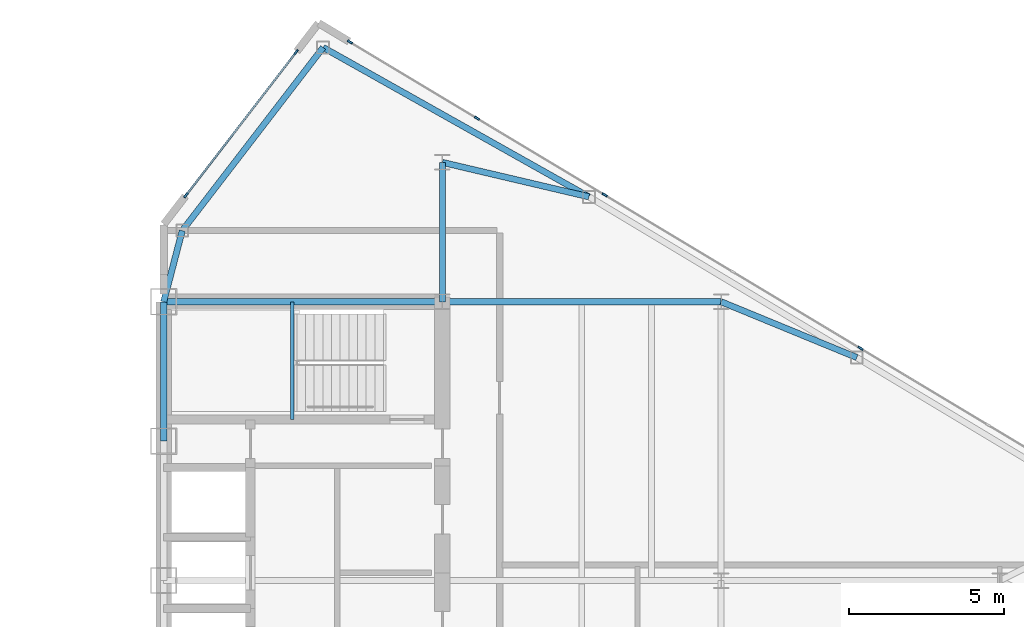
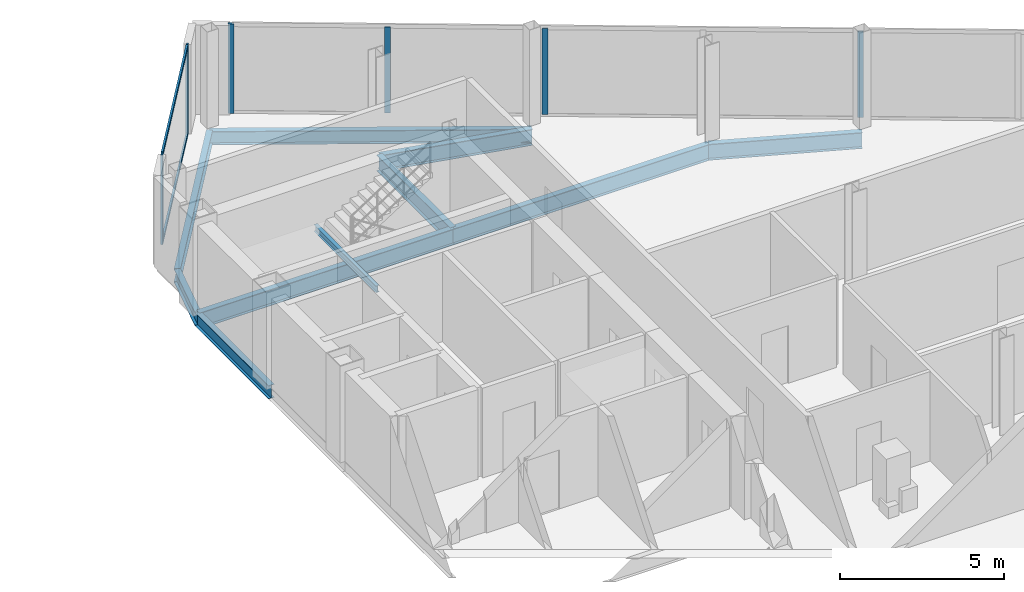
# One storey, part 15 of 26: 10 beams, 8 members, 2 elements without a shape of their own.
"""IFC4 building model written with IfcOpenShell, lengths in metres."""

from ifc_helpers import new_model, si_unit, direction, frame, origin, origin_2d, place, context, subcontext, project, spatial, rectangle, i_section, extrude, source, transform, mapped, material, layer, layer_set, material_profile, profile_set, type_object, type_shapes, element, aggregate, save


model = new_model("IFC4")

# Units and contexts
model_context = context("Model", 3, precision=1e-05, world=origin(), true_north=direction((0.0, 1.0)))
body_context = subcontext(model_context, "Body", "Model", "MODEL_VIEW")
ifc_project = project(units=[si_unit("LENGTHUNIT", "METRE"), si_unit("AREAUNIT", "SQUARE_METRE"), si_unit("VOLUMEUNIT", "CUBIC_METRE"), si_unit("PLANEANGLEUNIT", "RADIAN"), si_unit("MASSUNIT", "GRAM", prefix="KILO")], contexts=[model_context])

# Site, building, storey
site_placement = place(None, origin())
site = spatial("IfcSite", under=ifc_project, at=site_placement, CompositionType="ELEMENT")
building_placement = place(site_placement, origin())
building = spatial("IfcBuilding", under=site, at=building_placement, Name="Seokmaru Belvedere", CompositionType="ELEMENT")
storey_placement = place(building_placement, frame((0.0, 0.0, 221.10009765625)))
storey = spatial("IfcBuildingStorey", under=building, at=storey_placement, Name="L59", CompositionType="ELEMENT", Elevation=221.10009765625)

# Beams
ifc_material_1 = material(Name="Steel SM355 (355 MPa)", Category="steel")
ifc_material_profile_1 = material_profile(ifc_material_1, i_section(OverallWidth=0.199951171875, OverallDepth=0.5, WebThickness=0.010009765625, FlangeThickness=0.01611328125, at=origin_2d()), Name="H-500x200x10x16")
ifc_profile_set_1 = profile_set([ifc_material_profile_1], Name="Steel SM355 (355 MPa)")
beam_type_1 = type_object("IfcBeamType", Name="Perimeter Spandrel Beam H-500", PredefinedType="SPANDREL", material=ifc_profile_set_1)
shared_shape_1 = source(origin(), body_context, "Body", "SweptSolid", [
    extrude(i_section(OverallWidth=0.199951171875, OverallDepth=0.5, WebThickness=0.010009765625, FlangeThickness=0.01611328125, at=origin_2d()), origin(), (0.0, 0.0, 1.0), 4.5),
])
beam_1_placement = place(storey_placement, frame((27.5, 9.0, -0.47021484375), z_axis=(0.0, 1.0, 0.0), x_axis=(-1.0, 0.0, 0.0)))
element("IfcBeam", 1, at=beam_1_placement, inside=storey, type_object=beam_type_1, Name="L59 E Portal Spine Spandrel 5", PredefinedType="SPANDREL", context=body_context, shape_type="MappedRepresentation", body=[
    mapped(shared_shape_1, transform((0.0, 0.0, 0.0), scale=1.0)),
])
ifc_material_profile_2 = material_profile(ifc_material_1, i_section(OverallWidth=0.199951171875, OverallDepth=0.60009765625, WebThickness=0.010986328125, FlangeThickness=0.01708984375, at=origin_2d()), Name="H-600x200x11x17")
ifc_profile_set_2 = profile_set([ifc_material_profile_2], Name="Steel SM355 (355 MPa)")
beam_type_2 = type_object("IfcBeamType", Name="Primary Floor Girder H-600", PredefinedType="BEAM", material=ifc_profile_set_2)
shared_shape_2 = source(origin(), body_context, "Body", "SweptSolid", [
    extrude(i_section(OverallWidth=0.199951171875, OverallDepth=0.60009765625, WebThickness=0.010986328125, FlangeThickness=0.01708984375, at=origin_2d()), origin(), (0.0, 0.0, 1.0), 9.0),
])
for number, where, z_axis, x_axis, name in (
    (2, (27.5, 13.5, -0.52001953125), (1.0, 0.0, 0.0), (0.0, 1.0, 0.0), "L59 E Core Tie Girder 4"),
    (3, (36.5, 13.5, -0.52001953125), (1.0, 0.0, 0.0), (0.0, 1.0, 0.0), "L59 E Wing Primary Girder 4"),
):
    element("IfcBeam", number, at=place(storey_placement, frame(where, z_axis=z_axis, x_axis=x_axis)), inside=storey, type_object=beam_type_2, Name=name, PredefinedType="BEAM", context=body_context, shape_type="MappedRepresentation", body=[
        mapped(shared_shape_2, transform((0.0, 0.0, 0.0), scale=1.0)),
    ])
shared_shape_3 = source(origin(), body_context, "Body", "SweptSolid", [
    extrude(i_section(OverallWidth=0.199951171875, OverallDepth=0.60009765625, WebThickness=0.010986328125, FlangeThickness=0.01708984375, at=origin_2d()), origin(), (0.0, 0.0, 1.0), 4.5),
])
beam_2_placement = place(storey_placement, frame((36.5, 13.5, -0.52001953125), z_axis=(0.0, 1.0, 0.0), x_axis=(-1.0, 0.0, 0.0)))
element("IfcBeam", 4, at=beam_2_placement, inside=storey, type_object=beam_type_2, Name="L59 E Core Shoulder Girder N", PredefinedType="BEAM", context=body_context, shape_type="MappedRepresentation", body=[
    mapped(shared_shape_3, transform((0.0, 0.0, 0.0), scale=1.0)),
])
shared_shape_4 = source(origin(), body_context, "Body", "SweptSolid", [
    extrude(i_section(OverallWidth=0.199951171875, OverallDepth=0.5, WebThickness=0.010009765625, FlangeThickness=0.01611328125, at=origin_2d()), origin(), (0.0, 0.0, 1.0), 9.842041015625),
])
beam_3_placement = place(storey_placement, frame((32.649658203125, 21.71044921875, -0.47021484375), z_axis=(0.871782151818, -0.489893743349, 0.0), x_axis=(0.489893743349, 0.871782151818, 0.0)))
element("IfcBeam", 5, at=beam_3_placement, inside=storey, type_object=beam_type_1, Name="L59 E Faceted Flank Spandrel N-1", PredefinedType="SPANDREL", context=body_context, shape_type="MappedRepresentation", body=[
    mapped(shared_shape_4, transform((0.0, 0.0, 0.0), scale=1.0)),
])
shared_shape_5 = source(origin(), body_context, "Body", "SweptSolid", [
    extrude(i_section(OverallWidth=0.199951171875, OverallDepth=0.5, WebThickness=0.010009765625, FlangeThickness=0.01611328125, at=origin_2d()), origin(), (0.0, 0.0, 1.0), 7.4619140625),
])
beam_4_placement = place(storey_placement, frame((32.649658203125, 21.71044921875, -0.47021484375), z_axis=(-0.609702854945, -0.792630070507, 0.0), x_axis=(0.792630070507, -0.609702854945, 0.0)))
element("IfcBeam", 6, at=beam_4_placement, inside=storey, type_object=beam_type_1, Name="L59 E Shoulder Chamfer Spandrel N", PredefinedType="SPANDREL", context=body_context, shape_type="MappedRepresentation", body=[
    mapped(shared_shape_5, transform((0.0, 0.0, 0.0), scale=1.0)),
])
shared_shape_6 = source(origin(), body_context, "Body", "SweptSolid", [
    extrude(i_section(OverallWidth=0.199951171875, OverallDepth=0.5, WebThickness=0.010009765625, FlangeThickness=0.01611328125, at=origin_2d()), origin(), (0.0, 0.0, 1.0), 2.373046875),
])
type_shapes(beam_type_1, [shared_shape_1, shared_shape_4, shared_shape_5, shared_shape_6])
beam_5_placement = place(storey_placement, frame((28.10009765625, 15.7958984375, -0.47021484375), z_axis=(-0.252882558842, -0.967496982648, 0.0), x_axis=(0.967496982648, -0.252882558842, 0.0)))
element("IfcBeam", 7, at=beam_5_placement, inside=storey, type_object=beam_type_1, Name="L59 E Shoulder Spine Spandrel N", PredefinedType="SPANDREL", context=body_context, shape_type="MappedRepresentation", body=[
    mapped(shared_shape_6, transform((0.0, 0.0, 0.0), scale=1.0)),
])
shared_shape_7 = source(origin(), body_context, "Body", "SweptSolid", [
    extrude(i_section(OverallWidth=0.199951171875, OverallDepth=0.60009765625, WebThickness=0.010986328125, FlangeThickness=0.01708984375, at=origin_2d()), origin(), (0.0, 0.0, 1.0), 4.8583984375),
])
beam_6_placement = place(storey_placement, frame((41.229736328125, 16.888916015625, -0.52001953125), z_axis=(-0.97349948295, 0.228689214211, 0.0), x_axis=(-0.228689214211, -0.97349948295, 0.0)))
element("IfcBeam", 8, at=beam_6_placement, inside=storey, type_object=beam_type_2, Name="L59 E Flank Radial Floor Girder N-1", PredefinedType="BEAM", context=body_context, shape_type="MappedRepresentation", body=[
    mapped(shared_shape_7, transform((0.0, 0.0, 0.0), scale=1.0)),
])
shared_shape_8 = source(origin(), body_context, "Body", "SweptSolid", [
    extrude(i_section(OverallWidth=0.199951171875, OverallDepth=0.60009765625, WebThickness=0.010986328125, FlangeThickness=0.01708984375, at=origin_2d()), origin(), (0.0, 0.0, 1.0), 4.73583984375),
])
type_shapes(beam_type_2, [shared_shape_2, shared_shape_3, shared_shape_7, shared_shape_8])
beam_7_placement = place(storey_placement, frame((49.8798828125, 11.698974609375, -0.52001953125), z_axis=(-0.924860562953, 0.380306375301, 0.0), x_axis=(-0.380306375301, -0.924860562953, 0.0)))
element("IfcBeam", 9, at=beam_7_placement, inside=storey, type_object=beam_type_2, Name="L59 E Flank Radial Floor Girder N-2", PredefinedType="BEAM", context=body_context, shape_type="MappedRepresentation", body=[
    mapped(shared_shape_8, transform((0.0, 0.0, 0.0), scale=1.0)),
])

# Curtain wall, members
ifc_material_2 = material(Name="Bronze Triple Insulating Glass", Category="glass")
ifc_layer = layer(ifc_material_2, 0.179931640625)
ifc_layer_set = layer_set([ifc_layer], Name="Bronze Triple Insulating Glass")
curtain_wall_type = type_object("IfcCurtainWallType", Name="High-Rise Wind-Corner Curtain Wall System CW-5", PredefinedType="NOTDEFINED", material=ifc_layer_set)
curtain_wall_1_placement = place(storey_placement, origin())
curtain_wall_1 = element("IfcCurtainWall", 10, at=curtain_wall_1_placement, inside=storey, type_object=curtain_wall_type, Name="L59 Curtain Wall EF3", PredefinedType="NOTDEFINED")
ifc_material_3 = material(Name="Anodised Bronze Aluminium", Category="aluminium")
ifc_material_profile_3 = material_profile(ifc_material_3, rectangle(XDim=0.06494140625, YDim=0.179931640625, at=origin_2d()), Name="CW-M-65x180")
ifc_profile_set_3 = profile_set([ifc_material_profile_3], Name="Anodised Bronze Aluminium")
member_type_1 = type_object("IfcMemberType", Name="Bronze Unitised Mullion 65x180", PredefinedType="MULLION", material=ifc_profile_set_3)
shared_shape_9 = source(origin(), body_context, "Body", "SweptSolid", [
    extrude(rectangle(XDim=0.06494140625, YDim=0.179931640625, at=origin_2d()), origin(), (0.0, 0.0, 1.0), 3.2099609375),
])
member_1_placement = place(storey_placement, frame((50.0, 12.0, 0.06494140625), z_axis=(0.0, 0.0, 1.0), x_axis=(-0.514494909364, -0.85749343335, 0.0)))
member_1 = element("IfcMember", 11, at=member_1_placement, type_object=member_type_1, Name="CW:L59:EF3 Mullion 5", PredefinedType="MULLION", context=body_context, shape_type="MappedRepresentation", body=[
    mapped(shared_shape_9, transform((0.0, 0.0, 0.0), scale=1.0)),
])
member_2_placement = place(storey_placement, frame((41.742919921875, 16.9541015625, 0.06494140625), z_axis=(0.0, 0.0, 1.0), x_axis=(-0.514494909364, -0.85749343335, 0.0)))
member_2 = element("IfcMember", 12, at=member_2_placement, type_object=member_type_1, Name="CW:L59:EF3 Mullion 7", PredefinedType="MULLION", context=body_context, shape_type="MappedRepresentation", body=[
    mapped(shared_shape_9, transform((0.0, 0.0, 0.0), scale=1.0)),
])
member_3_placement = place(storey_placement, frame((37.614501953125, 19.43115234375, 0.06494140625), z_axis=(0.0, 0.0, 1.0), x_axis=(-0.514494909364, -0.85749343335, 0.0)))
member_3 = element("IfcMember", 13, at=member_3_placement, type_object=member_type_1, Name="CW:L59:EF3 Mullion 8", PredefinedType="MULLION", context=body_context, shape_type="MappedRepresentation", body=[
    mapped(shared_shape_9, transform((0.0, 0.0, 0.0), scale=1.0)),
])

curtain_wall_2_placement = place(storey_placement, origin())
curtain_wall_2 = element("IfcCurtainWall", 14, at=curtain_wall_2_placement, inside=storey, type_object=curtain_wall_type, Name="L59 Curtain Wall EF4", PredefinedType="NOTDEFINED")
ifc_material_profile_4 = material_profile(ifc_material_3, rectangle(XDim=0.06494140625, YDim=0.14990234375, at=origin_2d()), Name="CW-T-65x150")
ifc_profile_set_4 = profile_set([ifc_material_profile_4], Name="Anodised Bronze Aluminium")
member_type_2 = type_object("IfcMemberType", Name="Bronze Unitised Transom 65x150", PredefinedType="USERDEFINED", material=ifc_profile_set_4)
shared_shape_10 = source(origin(), body_context, "Body", "SweptSolid", [
    extrude(rectangle(XDim=0.06494140625, YDim=0.14990234375, at=origin_2d()), origin(), (0.0, 0.0, 1.0), 5.77099609375),
])
type_shapes(member_type_2, [shared_shape_10])
member_4_placement = place(storey_placement, frame((31.75927734375, 21.537109375, 0.032470703125), z_axis=(-0.60970258286, -0.792630279799, 0.0), x_axis=(0.792630279799, -0.60970258286, 0.0)))
member_4 = element("IfcMember", 15, at=member_4_placement, type_object=member_type_2, Name="CW:L59:EF4 Continuous Transom 1", ObjectType="TRANSOM", PredefinedType="USERDEFINED", context=body_context, shape_type="MappedRepresentation", body=[
    mapped(shared_shape_10, transform((0.0, 0.0, 0.0), scale=1.0)),
])
member_5_placement = place(storey_placement, frame((31.75927734375, 21.537109375, 3.307373046875), z_axis=(-0.60970258286, -0.792630279799, 0.0), x_axis=(0.792630279799, -0.60970258286, 0.0)))
member_5 = element("IfcMember", 16, at=member_5_placement, type_object=member_type_2, Name="CW:L59:EF4 Continuous Transom 2", ObjectType="TRANSOM", PredefinedType="USERDEFINED", context=body_context, shape_type="MappedRepresentation", body=[
    mapped(shared_shape_10, transform((0.0, 0.0, 0.0), scale=1.0)),
])

# Member
shared_shape_11 = source(origin(), body_context, "Body", "SweptSolid", [
    extrude(rectangle(XDim=0.06494140625, YDim=0.179931640625, at=origin_2d()), origin(), (0.0, 0.0, 1.0), 3.33984375),
])
type_shapes(member_type_1, [shared_shape_9, shared_shape_11])
member_6_placement = place(storey_placement, frame((33.513916015625, 21.8916015625, 0.0), z_axis=(0.0, 0.0, 1.0), x_axis=(-0.514494909364, -0.85749343335, 0.0)))
member_6 = element("IfcMember", 17, at=member_6_placement, type_object=member_type_1, Name="CW:L59:EF3 Mullion 9", PredefinedType="MULLION", context=body_context, shape_type="MappedRepresentation", body=[
    mapped(shared_shape_11, transform((0.0, 0.0, 0.0), scale=1.0)),
])

aggregate(curtain_wall_1, [member_1, member_2, member_3, member_6])

member_7_placement = place(storey_placement, frame((31.779052734375, 21.562744140625, 0.0), z_axis=(0.0, 0.0, 1.0), x_axis=(0.792631353244, -0.609701187349, 0.0)))
member_7 = element("IfcMember", 18, at=member_7_placement, type_object=member_type_1, Name="CW:L59:EF4 Mullion 1", PredefinedType="MULLION", context=body_context, shape_type="MappedRepresentation", body=[
    mapped(shared_shape_11, transform((0.0, 0.0, 0.0), scale=1.0)),
])

member_8_placement = place(storey_placement, frame((28.220947265625, 16.937255859375, 0.0), z_axis=(0.0, 0.0, 1.0), x_axis=(0.792631353244, -0.609701187349, 0.0)))
member_8 = element("IfcMember", 19, at=member_8_placement, type_object=member_type_1, Name="CW:L59:EF4 Mullion 2", PredefinedType="MULLION", context=body_context, shape_type="MappedRepresentation", body=[
    mapped(shared_shape_11, transform((0.0, 0.0, 0.0), scale=1.0)),
])

aggregate(curtain_wall_2, [member_7, member_8, member_4, member_5])

# Beam
ifc_material_profile_5 = material_profile(ifc_material_1, i_section(OverallWidth=0.125, OverallDepth=0.25, WebThickness=0.006103515625, FlangeThickness=0.009033203125, at=origin_2d()), Name="H-250x125x6x9")
ifc_profile_set_5 = profile_set([ifc_material_profile_5], Name="Steel SM355 (355 MPa)")
beam_type_3 = type_object("IfcBeamType", Name="Stair Mid-Landing Support Beam H-250", PredefinedType="JOIST", material=ifc_profile_set_5)
shared_shape_12 = source(origin(), body_context, "Body", "SweptSolid", [
    extrude(i_section(OverallWidth=0.125, OverallDepth=0.25, WebThickness=0.006103515625, FlangeThickness=0.009033203125, at=origin_2d()), origin(), (0.0, 0.0, 1.0), 3.800048828125),
])
type_shapes(beam_type_3, [shared_shape_12])
beam_8_placement = place(storey_placement, frame((31.64990234375, 9.699951171875, 1.474853515625), z_axis=(0.0, 1.0, 0.0), x_axis=(-1.0, 0.0, 0.0)))
element("IfcBeam", 20, at=beam_8_placement, inside=storey, type_object=beam_type_3, Name="L59 Stair ST-E2 Mid-Landing Support Beam 1", PredefinedType="JOIST", context=body_context, shape_type="MappedRepresentation", body=[
    mapped(shared_shape_12, transform((0.0, 0.0, 0.0), scale=1.0)),
])

save(model, "model.ifc")
